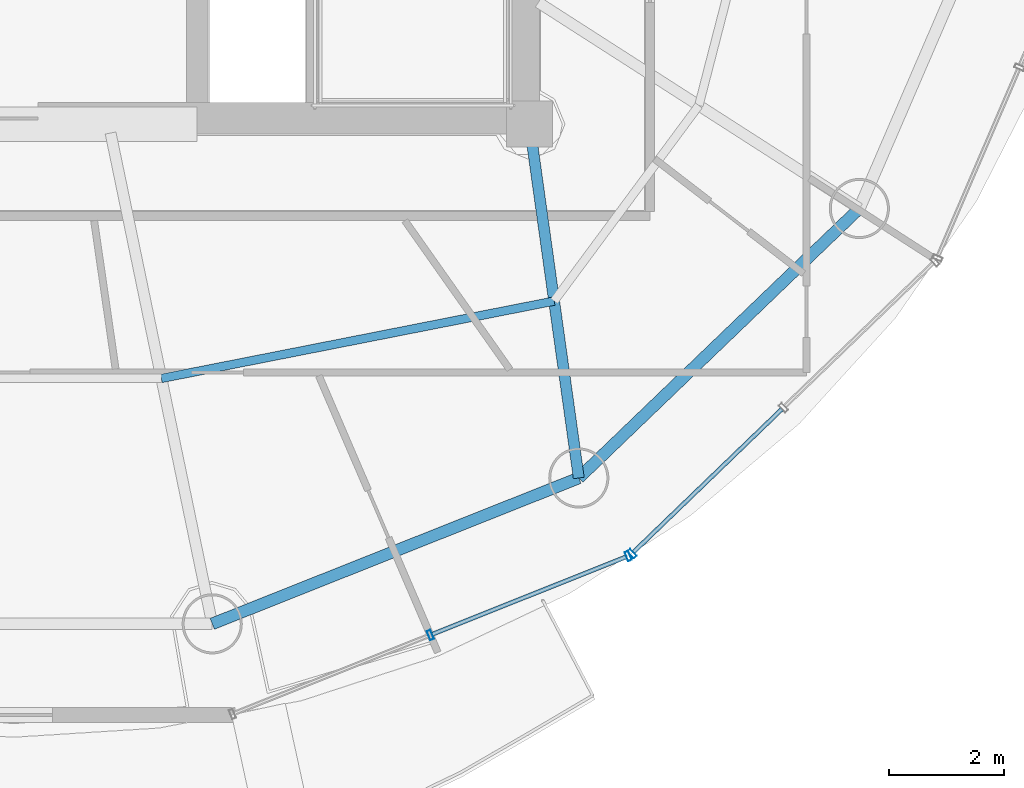
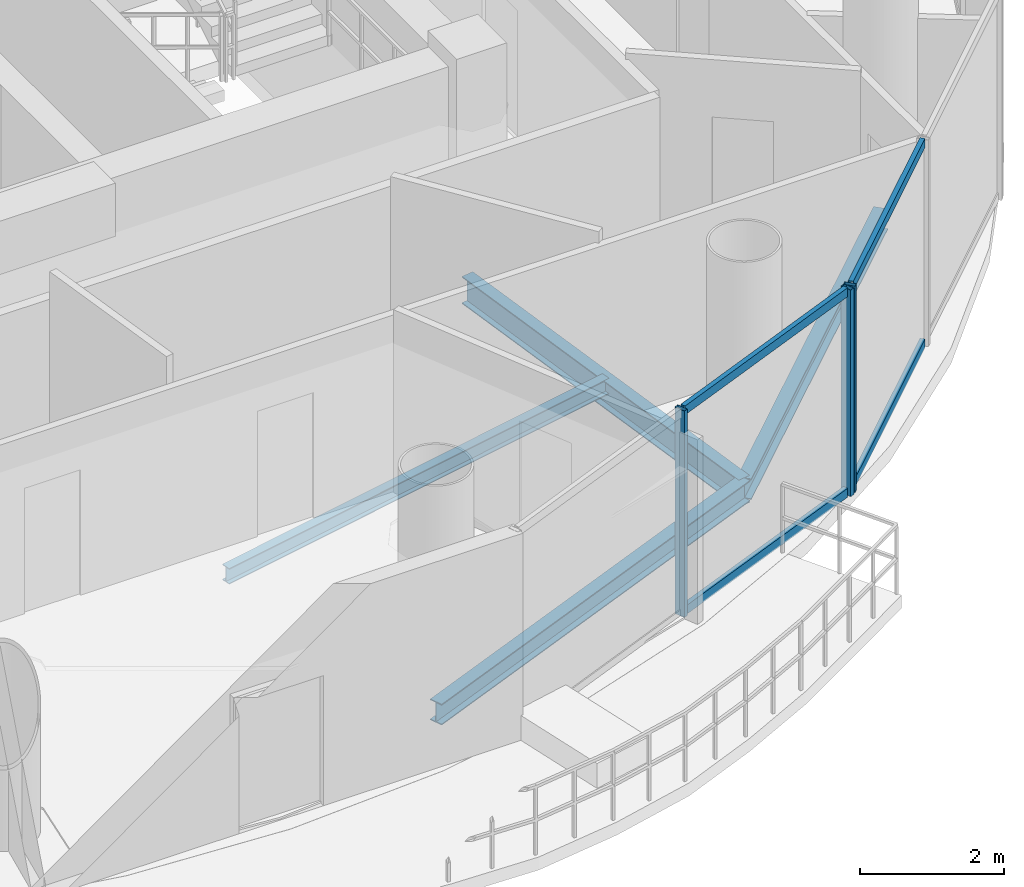
# One storey, part 6 of 23: 7 members, 4 beams, 2 elements without a shape of their own.
"""IFC4 building model written with IfcOpenShell, lengths in metres."""

from ifc_helpers import new_model, si_unit, direction, frame, origin, origin_2d, place, context, subcontext, project, spatial, hollow_rectangle, i_section, extrude, source, transform, mapped, material, material_profile, profile_set, type_object, element, aggregate, save


model = new_model("IFC4")

# Units and contexts
model_context = context("Model", 3, precision=1e-05, world=origin(), true_north=direction((-0.2419218956, 0.970295726276)))
body_context = subcontext(model_context, "Body", "Model", "MODEL_VIEW")
ifc_project = project(units=[si_unit("LENGTHUNIT", "METRE"), si_unit("AREAUNIT", "SQUARE_METRE"), si_unit("VOLUMEUNIT", "CUBIC_METRE"), si_unit("PLANEANGLEUNIT", "RADIAN"), si_unit("MASSUNIT", "GRAM", prefix="KILO")], contexts=[model_context])

# Site, building, storey
site_placement = place(None, origin())
site = spatial("IfcSite", under=ifc_project, at=site_placement, CompositionType="ELEMENT")
building_placement = place(site_placement, origin())
building = spatial("IfcBuilding", under=site, at=building_placement, Name="Cobrevalo Terracotta Tower", CompositionType="ELEMENT")
storey_placement = place(building_placement, frame((0.0, 0.0, 259.449951171875)))
storey = spatial("IfcBuildingStorey", under=building, at=storey_placement, Name="L68", CompositionType="ELEMENT", Elevation=259.449951171875)

# Beams
ifc_material_1 = material(Name="Steel S355", Category="steel")
ifc_material_profile_1 = material_profile(ifc_material_1, i_section(OverallWidth=0.19091796875, OverallDepth=0.4599609375, WebThickness=0.010009765625, FlangeThickness=0.01611328125, at=origin_2d()), Name="W 460x82")
ifc_profile_set_1 = profile_set([ifc_material_profile_1], Name="Steel S355")
beam_type_1 = type_object("IfcBeamType", Name="Structural Beam W 460x82 (Steel S355)", PredefinedType="BEAM", material=ifc_profile_set_1)
beam_1_placement = place(storey_placement, frame((47.861328125, 12.62353515625, -0.489990234375), z_axis=(-0.138115657759, 0.990416107039, 0.0), x_axis=(-0.990416107039, -0.138115657759, 0.0)))
element("IfcBeam", 1, at=beam_1_placement, inside=storey, type_object=beam_type_1, Name="L68 radial floor girder 14", PredefinedType="BEAM", context=body_context, shape_type="SweptSolid", body=[
    extrude(i_section(OverallWidth=0.19091796875, OverallDepth=0.4599609375, WebThickness=0.010009765625, FlangeThickness=0.01611328125, at=origin_2d()), origin(), (0.0, 0.0, 1.0), 6.236328125),
])
ifc_material_profile_2 = material_profile(ifc_material_1, i_section(OverallWidth=0.14794921875, OverallDepth=0.26611328125, WebThickness=0.007568359375, FlangeThickness=0.012939453125, at=origin_2d()), Name="W 250x44.8")
ifc_profile_set_2 = profile_set([ifc_material_profile_2], Name="Steel S355")
beam_type_2 = type_object("IfcBeamType", Name="Structural Joist W 250x44.8 (Steel S355)", PredefinedType="JOIST", material=ifc_profile_set_2)
beam_2_placement = place(storey_placement, frame((40.57568359375, 14.361328125, -0.39306640625), z_axis=(0.981145060421, 0.193272787563, 0.0), x_axis=(-0.193272787563, 0.981145060421, 0.0)))
element("IfcBeam", 2, at=beam_2_placement, inside=storey, type_object=beam_type_2, Name="L68 circumferential secondary floor joist 13", PredefinedType="JOIST", context=body_context, shape_type="SweptSolid", body=[
    extrude(i_section(OverallWidth=0.14794921875, OverallDepth=0.26611328125, WebThickness=0.007568359375, FlangeThickness=0.012939453125, at=origin_2d()), origin(), (0.0, 0.0, 1.0), 6.98681640625),
])
ifc_material_profile_3 = material_profile(ifc_material_1, i_section(OverallWidth=0.205078125, OverallDepth=0.35400390625, WebThickness=0.009521484375, FlangeThickness=0.016845703125, at=origin_2d()), Name="W 360x79")
ifc_profile_set_3 = profile_set([ifc_material_profile_3], Name="Steel S355")
beam_type_3 = type_object("IfcBeamType", Name="Structural Spandrel W 360x79 (Steel S355)", PredefinedType="SPANDREL", material=ifc_profile_set_3)
beam_3_placement = place(storey_placement, frame((41.462890625, 10.07763671875, -0.43701171875), z_axis=(0.929149986048, 0.369702993533, 0.0), x_axis=(-0.369702993533, 0.929149986048, 0.0)))
element("IfcBeam", 3, at=beam_3_placement, inside=storey, type_object=beam_type_3, Name="L68 perimeter ring spandrel 13", PredefinedType="SPANDREL", context=body_context, shape_type="SweptSolid", body=[
    extrude(i_section(OverallWidth=0.205078125, OverallDepth=0.35400390625, WebThickness=0.009521484375, FlangeThickness=0.016845703125, at=origin_2d()), origin(), (0.0, 0.0, 1.0), 6.88623046875),
])
beam_4_placement = place(storey_placement, frame((47.861328125, 12.62353515625, -0.43701171875), z_axis=(0.721183246144, 0.692744343522, 0.0), x_axis=(-0.692744343522, 0.721183246144, 0.0)))
element("IfcBeam", 4, at=beam_4_placement, inside=storey, type_object=beam_type_3, Name="L68 perimeter ring spandrel 14", PredefinedType="SPANDREL", context=body_context, shape_type="SweptSolid", body=[
    extrude(i_section(OverallWidth=0.205078125, OverallDepth=0.35400390625, WebThickness=0.009521484375, FlangeThickness=0.016845703125, at=origin_2d()), origin(), (0.0, 0.0, 1.0), 6.79052734375),
])

# Curtain wall, members
ifc_material_2 = material(Name="Anodized aluminium", Category="aluminium")
curtain_wall_type = type_object("IfcCurtainWallType", Name="Upper-tower triple-glazed penthouse curtain wall CW-U3", PredefinedType="NOTDEFINED", material=ifc_material_2)
curtain_wall_1_placement = place(storey_placement, origin())
curtain_wall_1 = element("IfcCurtainWall", 5, at=curtain_wall_1_placement, inside=storey, type_object=curtain_wall_type, Name="L68 curtain wall CW-L68-S13", PredefinedType="NOTDEFINED")
ifc_material_profile_4 = material_profile(ifc_material_2, hollow_rectangle(XDim=0.070068359375, YDim=0.169921875, WallThickness=0.00439453125, at=origin_2d()), Name="CWM 70x170")
ifc_profile_set_4 = profile_set([ifc_material_profile_4], Name="Anodized aluminium")
member_type_1 = type_object("IfcMemberType", Name="Upper tower unitised mullion 70x170", PredefinedType="MULLION", material=ifc_profile_set_4)
shared_shape_1 = source(origin(), body_context, "Body", "SweptSolid", [
    extrude(hollow_rectangle(XDim=0.070068359375, YDim=0.169921875, WallThickness=0.00439453125, at=origin_2d()), origin(), (0.0, 0.0, 1.0), 3.489990234375),
])
member_1_placement = place(storey_placement, frame((45.270263671875, 9.882568359375, 0.0), z_axis=(0.0, 0.0, 1.0), x_axis=(0.928718980883, 0.370784377433, 0.0)))
member_1 = element("IfcMember", 6, at=member_1_placement, type_object=member_type_1, Name="CW-L68-S13 vertical mullion 02", PredefinedType="MULLION", context=body_context, shape_type="MappedRepresentation", body=[
    mapped(shared_shape_1, transform((0.0, 0.0, 0.0), scale=1.0)),
])
member_2_placement = place(storey_placement, frame((48.724365234375, 11.26171875, 0.0), z_axis=(0.0, 0.0, 1.0), x_axis=(0.928718980883, 0.370784377433, 0.0)))
member_2 = element("IfcMember", 7, at=member_2_placement, type_object=member_type_1, Name="CW-L68-S13 vertical mullion 03", PredefinedType="MULLION", context=body_context, shape_type="MappedRepresentation", body=[
    mapped(shared_shape_1, transform((0.0, 0.0, 0.0), scale=1.0)),
])

curtain_wall_2_placement = place(storey_placement, origin())
curtain_wall_2 = element("IfcCurtainWall", 8, at=curtain_wall_2_placement, inside=storey, type_object=curtain_wall_type, Name="L68 curtain wall CW-L68-S14", PredefinedType="NOTDEFINED")
member_3_placement = place(storey_placement, frame((48.790283203125, 11.30419921875, 0.0), z_axis=(0.0, 0.0, 1.0), x_axis=(0.71999418085, 0.69398010025, 0.0)))
member_3 = element("IfcMember", 9, at=member_3_placement, type_object=member_type_1, Name="CW-L68-S14 vertical mullion 01", PredefinedType="MULLION", context=body_context, shape_type="MappedRepresentation", body=[
    mapped(shared_shape_1, transform((0.0, 0.0, 0.0), scale=1.0)),
])
ifc_material_profile_5 = material_profile(ifc_material_2, hollow_rectangle(XDim=0.074951171875, YDim=0.14990234375, WallThickness=0.00439453125, at=origin_2d()), Name="CWT 75x150")
ifc_profile_set_5 = profile_set([ifc_material_profile_5], Name="Anodized aluminium")
member_type_2 = type_object("IfcMemberType", Name="Tower unitised aluminium transom 75x150", PredefinedType="USERDEFINED", material=ifc_profile_set_5)
shared_shape_2 = source(origin(), body_context, "Body", "SweptSolid", [
    extrude(hollow_rectangle(XDim=0.074951171875, YDim=0.14990234375, WallThickness=0.00439453125, at=origin_2d()), origin(), (0.0, 0.0, 1.0), 3.59130859375),
])
member_4_placement = place(storey_placement, frame((48.819091796875, 11.33203125, 0.050048828125), z_axis=(0.720005628362, 0.693968223427, 0.0), x_axis=(-0.693968223427, 0.720005628362, 0.0)))
member_4 = element("IfcMember", 10, at=member_4_placement, type_object=member_type_2, Name="CW-L68-S14 transom B01-T1", ObjectType="TRANSOM", PredefinedType="USERDEFINED", context=body_context, shape_type="MappedRepresentation", body=[
    mapped(shared_shape_2, transform((0.0, 0.0, 0.0), scale=1.0)),
])
member_5_placement = place(storey_placement, frame((48.819091796875, 11.33203125, 3.43994140625), z_axis=(0.720005628362, 0.693968223427, 0.0), x_axis=(-0.693968223427, 0.720005628362, 0.0)))
member_5 = element("IfcMember", 11, at=member_5_placement, type_object=member_type_2, Name="CW-L68-S14 transom B01-T2", ObjectType="TRANSOM", PredefinedType="USERDEFINED", context=body_context, shape_type="MappedRepresentation", body=[
    mapped(shared_shape_2, transform((0.0, 0.0, 0.0), scale=1.0)),
])
aggregate(curtain_wall_2, [member_3, member_4, member_5])

# Member
shared_shape_3 = source(origin(), body_context, "Body", "SweptSolid", [
    extrude(hollow_rectangle(XDim=0.074951171875, YDim=0.14990234375, WallThickness=0.00439453125, at=origin_2d()), origin(), (0.0, 0.0, 1.0), 3.63916015625),
])
member_6_placement = place(storey_placement, frame((45.307373046875, 9.8974609375, 0.050048828125), z_axis=(0.928712471544, 0.370800681227, 0.0), x_axis=(-0.370800681227, 0.928712471544, 0.0)))
member_6 = element("IfcMember", 12, at=member_6_placement, type_object=member_type_2, Name="CW-L68-S13 transom B02-T1", ObjectType="TRANSOM", PredefinedType="USERDEFINED", context=body_context, shape_type="MappedRepresentation", body=[
    mapped(shared_shape_3, transform((0.0, 0.0, 0.0), scale=1.0)),
])

member_7_placement = place(storey_placement, frame((45.307373046875, 9.8974609375, 3.43994140625), z_axis=(0.928712471544, 0.370800681227, 0.0), x_axis=(-0.370800681227, 0.928712471544, 0.0)))
member_7 = element("IfcMember", 13, at=member_7_placement, type_object=member_type_2, Name="CW-L68-S13 transom B02-T2", ObjectType="TRANSOM", PredefinedType="USERDEFINED", context=body_context, shape_type="MappedRepresentation", body=[
    mapped(shared_shape_3, transform((0.0, 0.0, 0.0), scale=1.0)),
])

aggregate(curtain_wall_1, [member_1, member_2, member_6, member_7])

save(model, "model.ifc")
